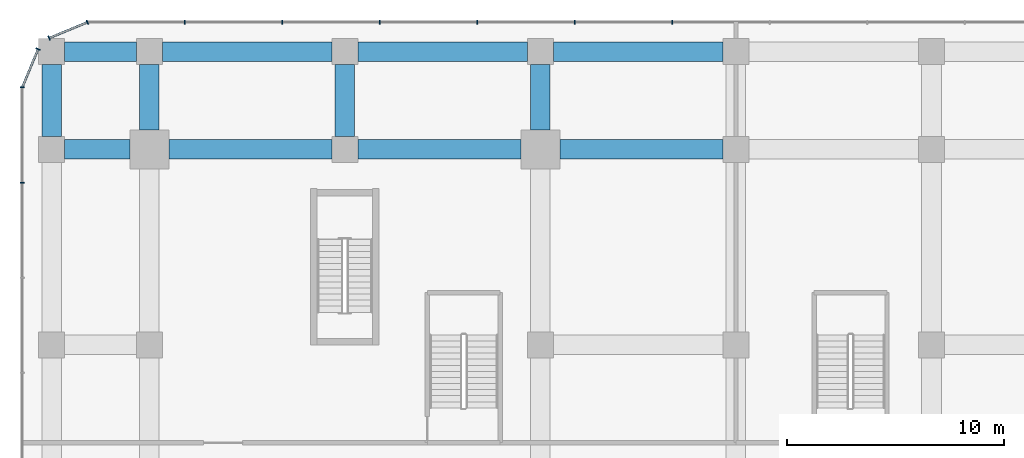
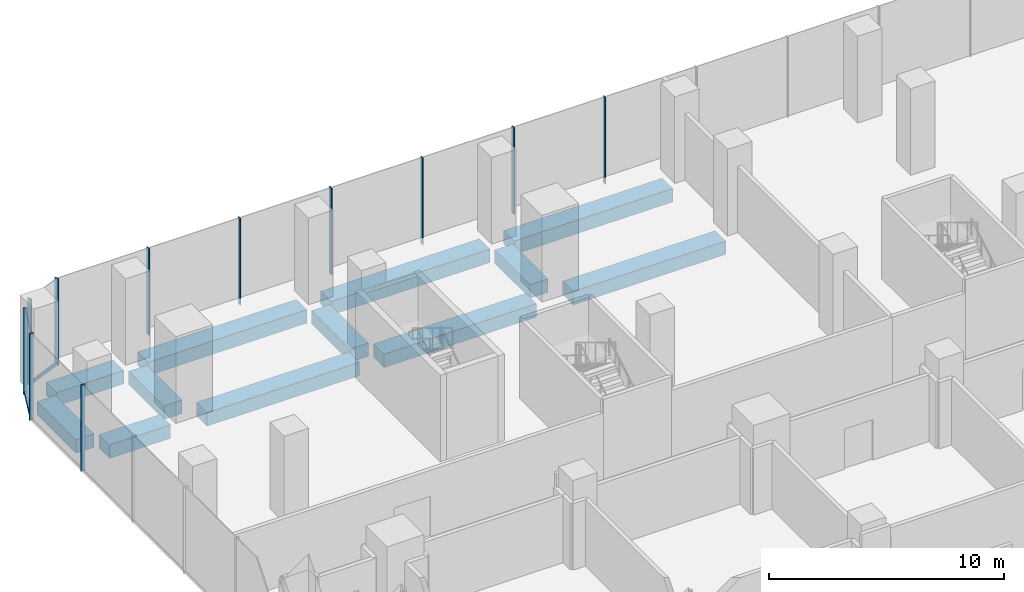
# One storey, part 21 of 43: 13 members, 12 beams, 4 elements without a shape of their own.
"""IFC4 building model written with IfcOpenShell, lengths in metres."""

from ifc_helpers import new_model, si_unit, direction, frame, origin, origin_2d, place, context, subcontext, project, spatial, rectangle, extrude, material, layer, layer_set, material_profile, profile_set, type_object, element, aggregate, save


model = new_model("IFC4")

# Units and contexts
model_context = context("Model", 3, precision=1e-05, world=origin(), true_north=direction((0.0, 1.0)))
body_context = subcontext(model_context, "Body", "Model", "MODEL_VIEW")
ifc_project = project(units=[si_unit("LENGTHUNIT", "METRE"), si_unit("AREAUNIT", "SQUARE_METRE"), si_unit("VOLUMEUNIT", "CUBIC_METRE"), si_unit("PLANEANGLEUNIT", "RADIAN"), si_unit("MASSUNIT", "GRAM", prefix="KILO")], contexts=[model_context])

# Site, building, storey
site_placement = place(None, origin())
site = spatial("IfcSite", under=ifc_project, at=site_placement, CompositionType="ELEMENT")
building_placement = place(site_placement, origin())
building = spatial("IfcBuilding", under=site, at=building_placement, Name="Plateau Cross Towers", CompositionType="ELEMENT")
storey_placement = place(building_placement, frame((0.0, 0.0, 12.800048828125)))
storey = spatial("IfcBuildingStorey", under=building, at=storey_placement, Name="L02", CompositionType="ELEMENT", Elevation=12.800048828125)

# Curtain wall, members
ifc_material_1 = material(Name="Dark low-iron laminated glass", Category="glass")
ifc_layer = layer(ifc_material_1, 0.300048828125)
ifc_layer_set = layer_set([ifc_layer], Name="Dark low-iron laminated glass")
curtain_wall_type = type_object("IfcCurtainWallType", Name="Curtain wall structural silicone CW-C", PredefinedType="NOTDEFINED", material=ifc_layer_set)
curtain_wall_1_placement = place(storey_placement, origin())
curtain_wall_1 = element("IfcCurtainWall", 1, at=curtain_wall_1_placement, inside=storey, type_object=curtain_wall_type, Name="ENV/P/L02/P1048_598", PredefinedType="NOTDEFINED")
ifc_material_2 = material(Name="Black anodised aluminium", Category="aluminium")
ifc_material_profile_1 = material_profile(ifc_material_2, rectangle(XDim=0.050048828125, YDim=0.199951171875, at=origin_2d()), Name="MULLION 50x200")
ifc_profile_set_1 = profile_set([ifc_material_profile_1], Name="Black anodised aluminium")
member_type_1 = type_object("IfcMemberType", Name="Mullion 50x200 structural silicone", PredefinedType="MULLION", material=ifc_profile_set_1)
member_1_placement = place(storey_placement, frame((24.074951171875, 59.85009765625, -0.35009765625), z_axis=(0.0, 0.0, 1.0), x_axis=(-1.0, 0.0, 0.0)))
member_1 = element("IfcMember", 2, at=member_1_placement, type_object=member_type_1, Name="CW-C mullion 19", PredefinedType="MULLION", context=body_context, shape_type="SweptSolid", body=[
    extrude(rectangle(XDim=0.050048828125, YDim=0.199951171875, at=origin_2d()), origin(), (0.0, 0.0, 1.0), 4.5),
])
member_2_placement = place(storey_placement, frame((19.58740234375, 59.85009765625, -0.35009765625), z_axis=(0.0, 0.0, 1.0), x_axis=(-1.0, 0.0, 0.0)))
member_2 = element("IfcMember", 3, at=member_2_placement, type_object=member_type_1, Name="CW-C mullion 20", PredefinedType="MULLION", context=body_context, shape_type="SweptSolid", body=[
    extrude(rectangle(XDim=0.050048828125, YDim=0.199951171875, at=origin_2d()), origin(), (0.0, 0.0, 1.0), 4.5),
])
member_3_placement = place(storey_placement, frame((15.10009765625, 59.85009765625, -0.35009765625), z_axis=(0.0, 0.0, 1.0), x_axis=(-1.0, 0.0, 0.0)))
member_3 = element("IfcMember", 4, at=member_3_placement, type_object=member_type_1, Name="CW-C mullion 21", PredefinedType="MULLION", context=body_context, shape_type="SweptSolid", body=[
    extrude(rectangle(XDim=0.050048828125, YDim=0.199951171875, at=origin_2d()), origin(), (0.0, 0.0, 1.0), 4.5),
])
member_4_placement = place(storey_placement, frame((10.612548828125, 59.85009765625, -0.35009765625), z_axis=(0.0, 0.0, 1.0), x_axis=(-1.0, 0.0, 0.0)))
member_4 = element("IfcMember", 5, at=member_4_placement, type_object=member_type_1, Name="CW-C mullion 22", PredefinedType="MULLION", context=body_context, shape_type="SweptSolid", body=[
    extrude(rectangle(XDim=0.050048828125, YDim=0.199951171875, at=origin_2d()), origin(), (0.0, 0.0, 1.0), 4.5),
])
member_5_placement = place(storey_placement, frame((6.125, 59.85009765625, -0.35009765625), z_axis=(0.0, 0.0, 1.0), x_axis=(-1.0, 0.0, 0.0)))
member_5 = element("IfcMember", 6, at=member_5_placement, type_object=member_type_1, Name="CW-C mullion 23", PredefinedType="MULLION", context=body_context, shape_type="SweptSolid", body=[
    extrude(rectangle(XDim=0.050048828125, YDim=0.199951171875, at=origin_2d()), origin(), (0.0, 0.0, 1.0), 4.5),
])
member_6_placement = place(storey_placement, frame((1.637451171875, 59.85009765625, -0.35009765625), z_axis=(0.0, 0.0, 1.0), x_axis=(-1.0, 0.0, 0.0)))
member_6 = element("IfcMember", 7, at=member_6_placement, type_object=member_type_1, Name="CW-C mullion 24", PredefinedType="MULLION", context=body_context, shape_type="SweptSolid", body=[
    extrude(rectangle(XDim=0.050048828125, YDim=0.199951171875, at=origin_2d()), origin(), (0.0, 0.0, 1.0), 4.5),
])
aggregate(curtain_wall_1, [member_1, member_2, member_3, member_4, member_5, member_6])

curtain_wall_2_placement = place(storey_placement, origin())
curtain_wall_2 = element("IfcCurtainWall", 8, at=curtain_wall_2_placement, inside=storey, type_object=curtain_wall_type, Name="ENV/P/L02/P-28_598", PredefinedType="NOTDEFINED")
member_7_placement = place(storey_placement, frame((-2.85009765625, 59.85009765625, -0.35009765625), z_axis=(0.0, 0.0, 1.0), x_axis=(-0.923879457699, -0.382683612978, 0.0)))
member_7 = element("IfcMember", 9, at=member_7_placement, type_object=member_type_1, Name="CW-C mullion 1", PredefinedType="MULLION", context=body_context, shape_type="SweptSolid", body=[
    extrude(rectangle(XDim=0.050048828125, YDim=0.199951171875, at=origin_2d()), origin(), (0.0, 0.0, 1.0), 4.5),
])
member_8_placement = place(storey_placement, frame((-4.6123046875, 59.1201171875, -0.35009765625), z_axis=(0.0, 0.0, 1.0), x_axis=(-0.923879457699, -0.382683612978, 0.0)))
member_8 = element("IfcMember", 10, at=member_8_placement, type_object=member_type_1, Name="CW-C mullion 2", PredefinedType="MULLION", context=body_context, shape_type="SweptSolid", body=[
    extrude(rectangle(XDim=0.050048828125, YDim=0.199951171875, at=origin_2d()), origin(), (0.0, 0.0, 1.0), 4.5),
])

# Curtain wall, member
curtain_wall_3_placement = place(storey_placement, origin())
curtain_wall_3 = element("IfcCurtainWall", 11, at=curtain_wall_3_placement, inside=storey, type_object=curtain_wall_type, Name="ENV/P/L02/P-51_586", PredefinedType="NOTDEFINED")
member_9_placement = place(storey_placement, frame((-5.1201171875, 58.6123046875, -0.35009765625), z_axis=(0.0, 0.0, 1.0), x_axis=(-0.382683612978, -0.923879457699, 0.0)))
member_9 = element("IfcMember", 12, at=member_9_placement, type_object=member_type_1, Name="CW-C mullion 1", PredefinedType="MULLION", context=body_context, shape_type="SweptSolid", body=[
    extrude(rectangle(XDim=0.050048828125, YDim=0.199951171875, at=origin_2d()), origin(), (0.0, 0.0, 1.0), 4.5),
])

# Curtain wall, members
curtain_wall_4_placement = place(storey_placement, origin())
curtain_wall_4 = element("IfcCurtainWall", 13, at=curtain_wall_4_placement, inside=storey, type_object=curtain_wall_type, Name="ENV/P/L02/P-58_568", PredefinedType="NOTDEFINED")
member_10_placement = place(storey_placement, frame((-5.85009765625, 56.85009765625, -0.35009765625), z_axis=(0.0, 0.0, 1.0), x_axis=(0.0, -1.0, 0.0)))
member_10 = element("IfcMember", 14, at=member_10_placement, type_object=member_type_1, Name="CW-C mullion 1", PredefinedType="MULLION", context=body_context, shape_type="SweptSolid", body=[
    extrude(rectangle(XDim=0.050048828125, YDim=0.199951171875, at=origin_2d()), origin(), (0.0, 0.0, 1.0), 4.5),
])
member_11_placement = place(storey_placement, frame((-5.85009765625, 52.469970703125, -0.35009765625), z_axis=(0.0, 0.0, 1.0), x_axis=(0.0, -1.0, 0.0)))
member_11 = element("IfcMember", 15, at=member_11_placement, type_object=member_type_1, Name="CW-C mullion 2", PredefinedType="MULLION", context=body_context, shape_type="SweptSolid", body=[
    extrude(rectangle(XDim=0.050048828125, YDim=0.199951171875, at=origin_2d()), origin(), (0.0, 0.0, 1.0), 4.5),
])
aggregate(curtain_wall_4, [member_10, member_11])

# Beams
ifc_material_3 = material(Name="Concrete C50/60", Category="concrete")
ifc_material_profile_2 = material_profile(ifc_material_3, rectangle(XDim=0.89990234375, YDim=0.699951171875, at=origin_2d()), Name="RC 900x700")
ifc_profile_set_2 = profile_set([ifc_material_profile_2], Name="Concrete C50/60")
beam_type = type_object("IfcBeamType", Name="Podium band beam RC 900x700", PredefinedType="BEAM", material=ifc_profile_set_2)
beam_1_placement = place(storey_placement, frame((-3.89990234375, 54.0, -0.699951171875), z_axis=(1.0, 0.0, 0.0), x_axis=(0.0, 1.0, 0.0)))
element("IfcBeam", 16, at=beam_1_placement, inside=storey, type_object=beam_type, Name="PB67@L02", PredefinedType="BEAM", context=body_context, shape_type="SweptSolid", body=[
    extrude(rectangle(XDim=0.89990234375, YDim=0.699951171875, at=origin_2d()), origin(), (0.0, 0.0, 1.0), 3.0),
])
for number, where, z_axis, x_axis, name in (
    (17, (0.89990234375, 54.0, -0.699951171875), (1.0, 0.0, 0.0), (0.0, 1.0, 0.0), "PB68@L02"),
    (18, (9.60009765625, 54.0, -0.699951171875), (1.0, 0.0, 0.0), (0.0, 1.0, 0.0), "PB69@L02"),
    (19, (18.89990234375, 54.0, -0.699951171875), (1.0, 0.0, 0.0), (0.0, 1.0, 0.0), "PB70@L02"),
):
    element("IfcBeam", number, at=place(storey_placement, frame(where, z_axis=z_axis, x_axis=x_axis)), inside=storey, type_object=beam_type, Name=name, PredefinedType="BEAM", context=body_context, shape_type="SweptSolid", body=[
        extrude(rectangle(XDim=0.89990234375, YDim=0.699951171875, at=origin_2d()), origin(), (0.0, 0.0, 1.0), 7.5),
    ])
beam_2_placement = place(storey_placement, frame((-3.89990234375, 58.5, -0.699951171875), z_axis=(1.0, 0.0, 0.0), x_axis=(0.0, 1.0, 0.0)))
element("IfcBeam", 20, at=beam_2_placement, inside=storey, type_object=beam_type, Name="PB80@L02", PredefinedType="BEAM", context=body_context, shape_type="SweptSolid", body=[
    extrude(rectangle(XDim=0.89990234375, YDim=0.699951171875, at=origin_2d()), origin(), (0.0, 0.0, 1.0), 3.2998046875),
])
for number, where, z_axis, x_axis, name in (
    (21, (0.60009765625, 58.5, -0.699951171875), (1.0, 0.0, 0.0), (0.0, 1.0, 0.0), "PB81@L02"),
    (22, (9.60009765625, 58.5, -0.699951171875), (1.0, 0.0, 0.0), (0.0, 1.0, 0.0), "PB82@L02"),
    (23, (18.60009765625, 58.5, -0.699951171875), (1.0, 0.0, 0.0), (0.0, 1.0, 0.0), "PB83@L02"),
):
    element("IfcBeam", number, at=place(storey_placement, frame(where, z_axis=z_axis, x_axis=x_axis)), inside=storey, type_object=beam_type, Name=name, PredefinedType="BEAM", context=body_context, shape_type="SweptSolid", body=[
        extrude(rectangle(XDim=0.89990234375, YDim=0.699951171875, at=origin_2d()), origin(), (0.0, 0.0, 1.0), 7.7998046875),
    ])
beam_3_placement = place(storey_placement, frame((-4.5, 54.60009765625, -0.699951171875), z_axis=(0.0, 1.0, 0.0), x_axis=(-1.0, 0.0, 0.0)))
element("IfcBeam", 24, at=beam_3_placement, inside=storey, type_object=beam_type, Name="PB100@L02", PredefinedType="BEAM", context=body_context, shape_type="SweptSolid", body=[
    extrude(rectangle(XDim=0.89990234375, YDim=0.699951171875, at=origin_2d()), origin(), (0.0, 0.0, 1.0), 3.2998046875),
])
beam_4_placement = place(storey_placement, frame((0.0, 54.89990234375, -0.699951171875), z_axis=(0.0, 1.0, 0.0), x_axis=(-1.0, 0.0, 0.0)))
element("IfcBeam", 25, at=beam_4_placement, inside=storey, type_object=beam_type, Name="PB105@L02", PredefinedType="BEAM", context=body_context, shape_type="SweptSolid", body=[
    extrude(rectangle(XDim=0.89990234375, YDim=0.699951171875, at=origin_2d()), origin(), (0.0, 0.0, 1.0), 3.0),
])
beam_5_placement = place(storey_placement, frame((9.0, 54.60009765625, -0.699951171875), z_axis=(0.0, 1.0, 0.0), x_axis=(-1.0, 0.0, 0.0)))
element("IfcBeam", 26, at=beam_5_placement, inside=storey, type_object=beam_type, Name="PB108@L02", PredefinedType="BEAM", context=body_context, shape_type="SweptSolid", body=[
    extrude(rectangle(XDim=0.89990234375, YDim=0.699951171875, at=origin_2d()), origin(), (0.0, 0.0, 1.0), 3.2998046875),
])
beam_6_placement = place(storey_placement, frame((18.0, 54.89990234375, -0.699951171875), z_axis=(0.0, 1.0, 0.0), x_axis=(-1.0, 0.0, 0.0)))
element("IfcBeam", 27, at=beam_6_placement, inside=storey, type_object=beam_type, Name="PB113@L02", PredefinedType="BEAM", context=body_context, shape_type="SweptSolid", body=[
    extrude(rectangle(XDim=0.89990234375, YDim=0.699951171875, at=origin_2d()), origin(), (0.0, 0.0, 1.0), 3.0),
])

# Member
ifc_material_profile_3 = material_profile(ifc_material_2, rectangle(XDim=0.10009765625, YDim=0.14990234375, at=origin_2d()), Name="TRANSOM 100x150")
ifc_profile_set_3 = profile_set([ifc_material_profile_3], Name="Black anodised aluminium")
member_type_2 = type_object("IfcMemberType", Name="Transom 100x150 structural silicone", PredefinedType="USERDEFINED", material=ifc_profile_set_3)
member_12_placement = place(storey_placement, frame((-2.85009765625, 59.85009765625, -0.275146484375), z_axis=(-0.923870187147, -0.38270599329, 0.0), x_axis=(0.38270599329, -0.923870187147, 0.0)))
member_12 = element("IfcMember", 28, at=member_12_placement, type_object=member_type_2, Name="CW-C transom", ObjectType="TRANSOM", PredefinedType="USERDEFINED", context=body_context, shape_type="SweptSolid", body=[
    extrude(rectangle(XDim=0.10009765625, YDim=0.14990234375, at=origin_2d()), origin(), (0.0, 0.0, 1.0), 1.907470703125),
])

aggregate(curtain_wall_2, [member_7, member_8, member_12])

member_13_placement = place(storey_placement, frame((-5.1201171875, 58.6123046875, -0.275146484375), z_axis=(-0.38270599329, -0.923870187147, 0.0), x_axis=(0.923870187147, -0.38270599329, 0.0)))
member_13 = element("IfcMember", 29, at=member_13_placement, type_object=member_type_2, Name="CW-C transom", ObjectType="TRANSOM", PredefinedType="USERDEFINED", context=body_context, shape_type="SweptSolid", body=[
    extrude(rectangle(XDim=0.10009765625, YDim=0.14990234375, at=origin_2d()), origin(), (0.0, 0.0, 1.0), 1.907470703125),
])

aggregate(curtain_wall_3, [member_9, member_13])

save(model, "model.ifc")
